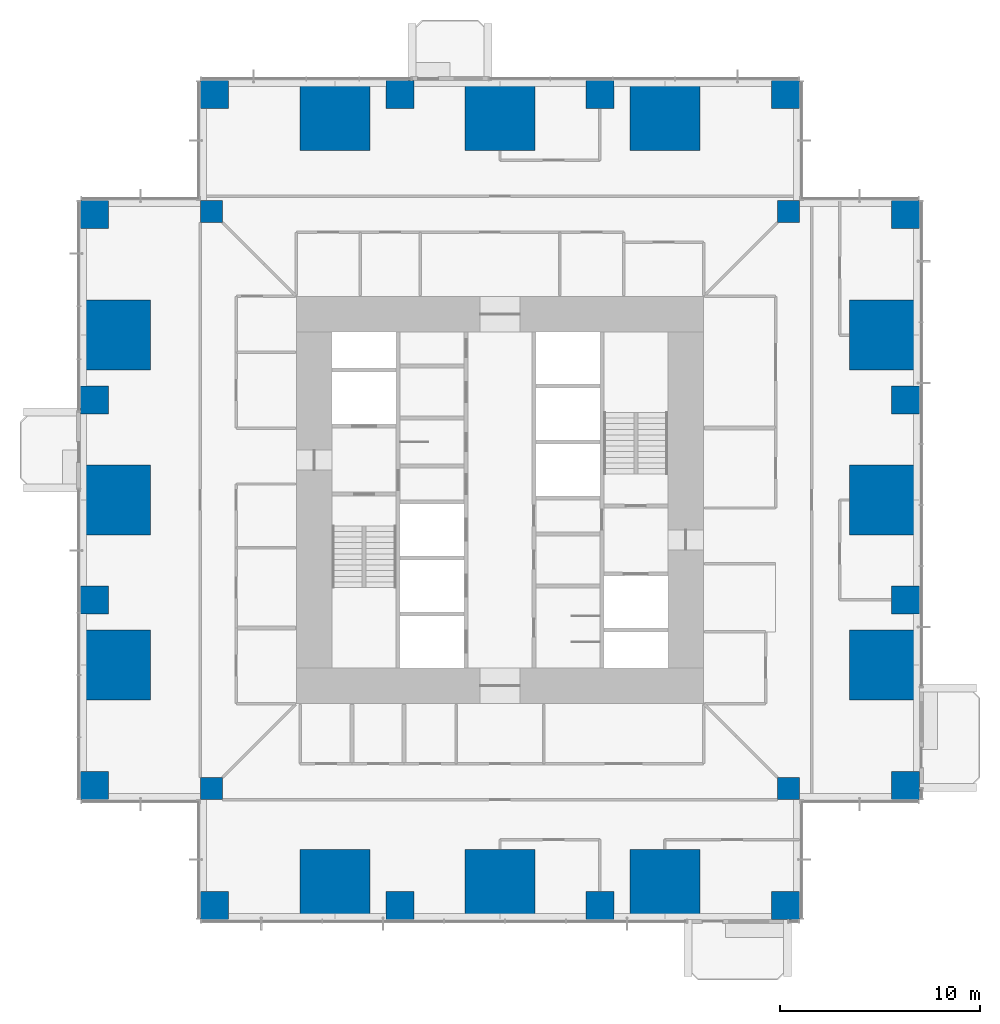
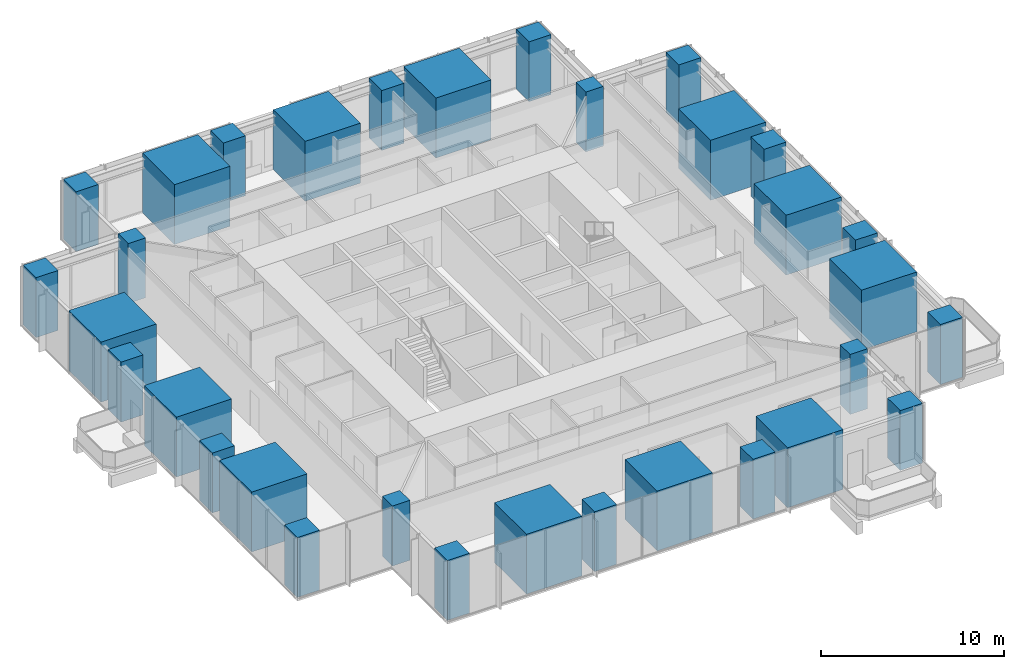
# One storey, part 1 of 15: 32 columns.
"""IFC4 building model written with IfcOpenShell, lengths in metres."""

from ifc_helpers import new_model, si_unit, direction, frame, origin, origin_2d, place, context, subcontext, project, spatial, rectangle, extrude, material, material_profile, profile_set, type_object, element, save


model = new_model("IFC4")

# Units and contexts
model_context = context("Model", 3, precision=1e-05, world=origin(), true_north=direction((0.0, 1.0)))
body_context = subcontext(model_context, "Body", "Model", "MODEL_VIEW")
ifc_project = project(units=[si_unit("LENGTHUNIT", "METRE"), si_unit("AREAUNIT", "SQUARE_METRE"), si_unit("VOLUMEUNIT", "CUBIC_METRE"), si_unit("PLANEANGLEUNIT", "RADIAN"), si_unit("MASSUNIT", "GRAM", prefix="KILO")], contexts=[model_context])

# Site, building, storey
site_placement = place(None, origin())
site = spatial("IfcSite", under=ifc_project, at=site_placement, CompositionType="ELEMENT")
building_placement = place(site_placement, origin())
building = spatial("IfcBuilding", under=site, at=building_placement, Name="Svetlomir Tower", CompositionType="ELEMENT")
storey_placement = place(building_placement, frame((0.0, 0.0, 66.5)))
storey = spatial("IfcBuildingStorey", under=building, at=storey_placement, Name="L15", CompositionType="ELEMENT", Elevation=66.5)

# Columns
ifc_material_1 = material(Name="Concrete C60/75", Category="concrete")
ifc_material_profile_1 = material_profile(ifc_material_1, rectangle(XDim=1.10009765625, YDim=1.10009765625, at=origin_2d()), Name="RC 1100x1100")
ifc_profile_set_1 = profile_set([ifc_material_profile_1], Name="Concrete C60/75")
column_type_1 = type_object("IfcColumnType", Name="COLUMN RC 1100x1100", PredefinedType="COLUMN", material=ifc_profile_set_1)
for number, where, z_axis, x_axis, name in (
    (1, (6.550048828125, 6.550048828125, 0.0), (0.0, 0.0, 1.0), (1.0, 0.0, 0.0), "Column 6/6 L15"),
    (2, (35.449951171875, 6.550048828125, 0.0), (0.0, 0.0, 1.0), (1.0, 0.0, 0.0), "Column 36/6 L15"),
    (3, (6.550048828125, 35.449951171875, 0.0), (0.0, 0.0, 1.0), (1.0, 0.0, 0.0), "Column 6/36 L15"),
    (4, (35.449951171875, 35.449951171875, 0.0), (0.0, 0.0, 1.0), (1.0, 0.0, 0.0), "Column 36/36 L15"),
):
    element("IfcColumn", number, at=place(storey_placement, frame(where, z_axis=z_axis, x_axis=x_axis)), inside=storey, type_object=column_type_1, Name=name, PredefinedType="COLUMN", context=body_context, shape_type="SweptSolid", body=[
        extrude(rectangle(XDim=1.10009765625, YDim=1.10009765625, at=origin_2d()), origin(), (0.0, 0.0, 1.0), 4.0),
    ])
ifc_material_2 = material(Name="Concrete C60/75", Category="concrete")
ifc_material_profile_2 = material_profile(ifc_material_2, rectangle(XDim=1.39990234375, YDim=1.39990234375, at=origin_2d()), Name="RC 1400x1400")
ifc_profile_set_2 = profile_set([ifc_material_profile_2], Name="Concrete C60/75")
column_type_2 = type_object("IfcColumnType", Name="COLUMN RC 1400x1400", PredefinedType="COLUMN", material=ifc_profile_set_2)
for number, where, z_axis, x_axis, name in (
    (5, (6.699951171875, 0.699951171875, 0.0), (0.0, 0.0, 1.0), (1.0, 0.0, 0.0), "Column 6/0 L15"),
    (6, (16.0, 0.699951171875, 0.0), (0.0, 0.0, 1.0), (1.0, 0.0, 0.0), "Column 16/0 L15"),
    (7, (26.0, 0.699951171875, 0.0), (0.0, 0.0, 1.0), (1.0, 0.0, 0.0), "Column 26/0 L15"),
    (8, (35.300048828125, 0.699951171875, 0.0), (0.0, 0.0, 1.0), (1.0, 0.0, 0.0), "Column 36/0 L15"),
    (9, (0.699951171875, 6.699951171875, 0.0), (0.0, 0.0, 1.0), (1.0, 0.0, 0.0), "Column 0/6 L15"),
    (10, (41.300048828125, 6.699951171875, 0.0), (0.0, 0.0, 1.0), (1.0, 0.0, 0.0), "Column 42/6 L15"),
    (11, (0.699951171875, 16.0, 0.0), (0.0, 0.0, 1.0), (1.0, 0.0, 0.0), "Column 0/16 L15"),
    (12, (41.300048828125, 16.0, 0.0), (0.0, 0.0, 1.0), (1.0, 0.0, 0.0), "Column 42/16 L15"),
    (13, (0.699951171875, 26.0, 0.0), (0.0, 0.0, 1.0), (1.0, 0.0, 0.0), "Column 0/26 L15"),
    (14, (41.300048828125, 26.0, 0.0), (0.0, 0.0, 1.0), (1.0, 0.0, 0.0), "Column 42/26 L15"),
    (15, (0.699951171875, 35.300048828125, 0.0), (0.0, 0.0, 1.0), (1.0, 0.0, 0.0), "Column 0/36 L15"),
    (16, (41.300048828125, 35.300048828125, 0.0), (0.0, 0.0, 1.0), (1.0, 0.0, 0.0), "Column 42/36 L15"),
    (17, (6.699951171875, 41.300048828125, 0.0), (0.0, 0.0, 1.0), (1.0, 0.0, 0.0), "Column 6/42 L15"),
    (18, (16.0, 41.300048828125, 0.0), (0.0, 0.0, 1.0), (1.0, 0.0, 0.0), "Column 16/42 L15"),
    (19, (26.0, 41.300048828125, 0.0), (0.0, 0.0, 1.0), (1.0, 0.0, 0.0), "Column 26/42 L15"),
    (20, (35.300048828125, 41.300048828125, 0.0), (0.0, 0.0, 1.0), (1.0, 0.0, 0.0), "Column 36/42 L15"),
):
    element("IfcColumn", number, at=place(storey_placement, frame(where, z_axis=z_axis, x_axis=x_axis)), inside=storey, type_object=column_type_2, Name=name, PredefinedType="COLUMN", context=body_context, shape_type="SweptSolid", body=[
        extrude(rectangle(XDim=1.39990234375, YDim=1.39990234375, at=origin_2d()), origin(), (0.0, 0.0, 1.0), 4.0),
    ])
ifc_material_3 = material(Name="Concrete C60/75", Category="concrete")
ifc_material_profile_3 = material_profile(ifc_material_3, rectangle(XDim=3.5, YDim=3.5, at=origin_2d()), Name="RC 3500x3500")
ifc_profile_set_3 = profile_set([ifc_material_profile_3], Name="Concrete C60/75")
column_type_3 = type_object("IfcColumnType", Name="COLUMN RC 3500x3500", PredefinedType="COLUMN", material=ifc_profile_set_3)
for number, where, z_axis, x_axis, name in (
    (21, (12.75, 1.75, 0.0), (0.0, 0.0, 1.0), (1.0, 0.0, 0.0), "Column 11/0 L15"),
    (22, (21.0, 1.75, 0.0), (0.0, 0.0, 1.0), (1.0, 0.0, 0.0), "Column 21/0 L15"),
    (23, (29.25, 1.75, 0.0), (0.0, 0.0, 1.0), (1.0, 0.0, 0.0), "Column 31/0 L15"),
    (24, (1.75, 12.75, 0.0), (0.0, 0.0, 1.0), (1.0, 0.0, 0.0), "Column 0/11 L15"),
    (25, (40.25, 12.75, 0.0), (0.0, 0.0, 1.0), (1.0, 0.0, 0.0), "Column 42/11 L15"),
    (26, (1.75, 21.0, 0.0), (0.0, 0.0, 1.0), (1.0, 0.0, 0.0), "Column 0/21 L15"),
    (27, (40.25, 21.0, 0.0), (0.0, 0.0, 1.0), (1.0, 0.0, 0.0), "Column 42/21 L15"),
    (28, (1.75, 29.25, 0.0), (0.0, 0.0, 1.0), (1.0, 0.0, 0.0), "Column 0/31 L15"),
    (29, (40.25, 29.25, 0.0), (0.0, 0.0, 1.0), (1.0, 0.0, 0.0), "Column 42/31 L15"),
    (30, (12.75, 40.25, 0.0), (0.0, 0.0, 1.0), (1.0, 0.0, 0.0), "Column 11/42 L15"),
    (31, (21.0, 40.25, 0.0), (0.0, 0.0, 1.0), (1.0, 0.0, 0.0), "Column 21/42 L15"),
    (32, (29.25, 40.25, 0.0), (0.0, 0.0, 1.0), (1.0, 0.0, 0.0), "Column 31/42 L15"),
):
    element("IfcColumn", number, at=place(storey_placement, frame(where, z_axis=z_axis, x_axis=x_axis)), inside=storey, type_object=column_type_3, Name=name, PredefinedType="COLUMN", context=body_context, shape_type="SweptSolid", body=[
        extrude(rectangle(XDim=3.5, YDim=3.5, at=origin_2d()), origin(), (0.0, 0.0, 1.0), 4.0),
    ])

save(model, "model.ifc")
